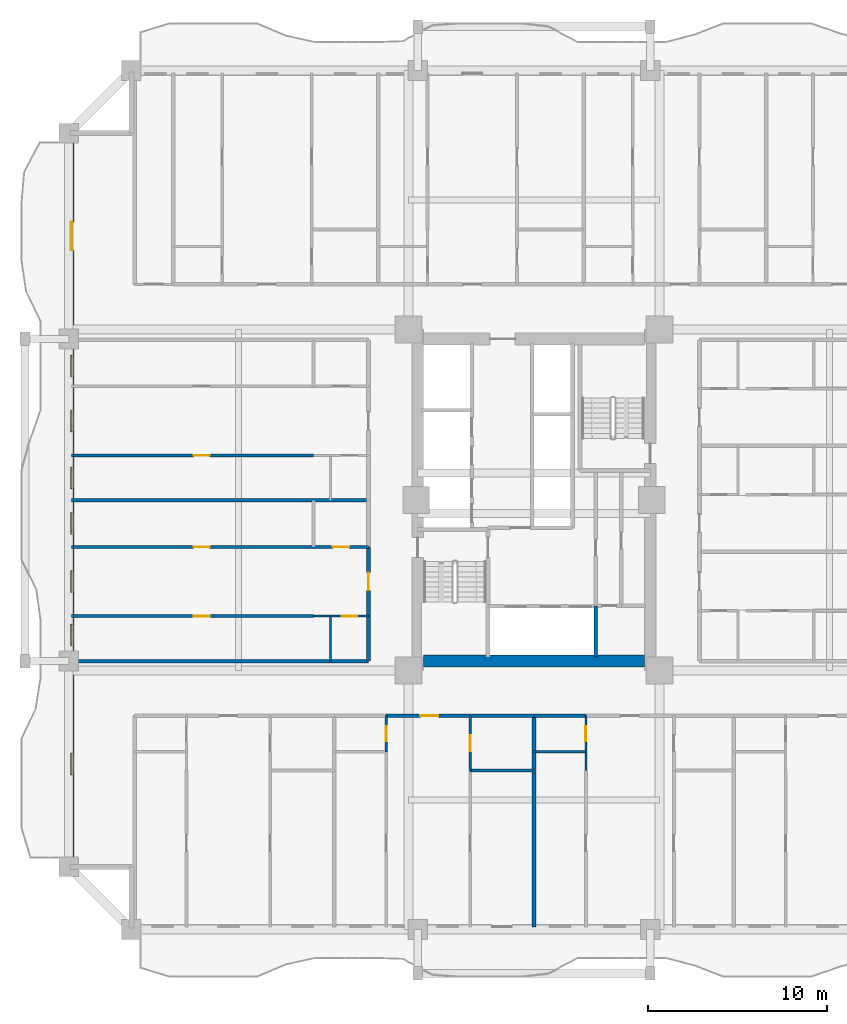
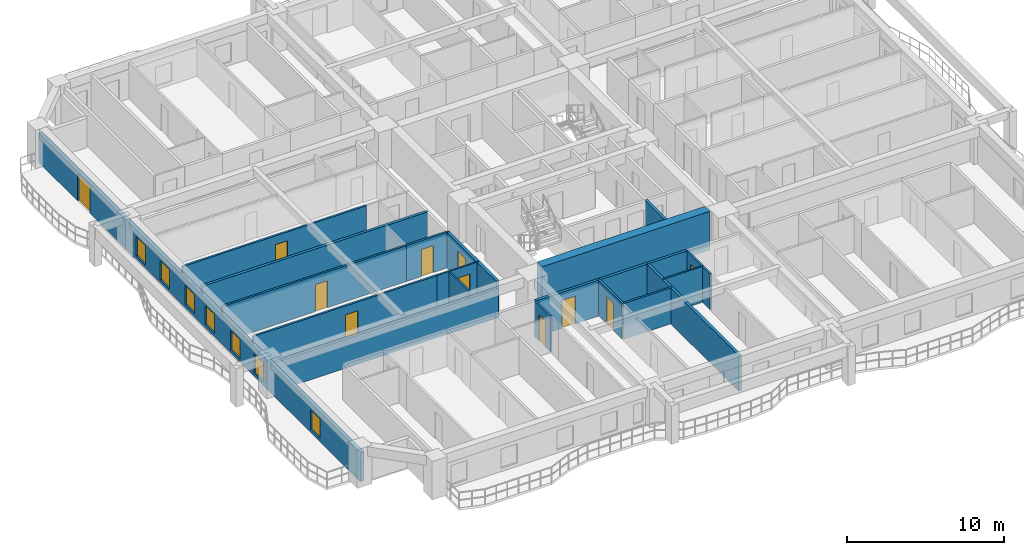
# One storey, part 3 of 18: 24 walls, 11 doors, 7 windows, 18 openings.
"""IFC4 building model written with IfcOpenShell, lengths in metres."""

from ifc_helpers import new_model, si_unit, direction, frame, frame_2d, origin, place, context, subcontext, project, spatial, rectangle, extrude, source, transform, mapped, material, layer, layer_set, type_object, element, fill, save


model = new_model("IFC4")

# Units and contexts
model_context = context("Model", 3, precision=1e-05, world=origin(), true_north=direction((0.0, 1.0)))
body_context = subcontext(model_context, "Body", "Model", "MODEL_VIEW")
ifc_project = project(units=[si_unit("LENGTHUNIT", "METRE"), si_unit("AREAUNIT", "SQUARE_METRE"), si_unit("VOLUMEUNIT", "CUBIC_METRE"), si_unit("PLANEANGLEUNIT", "RADIAN"), si_unit("MASSUNIT", "GRAM", prefix="KILO")], contexts=[model_context])

# Site, building, storey
site_placement = place(None, origin())
site = spatial("IfcSite", under=ifc_project, at=site_placement, CompositionType="ELEMENT")
building_placement = place(site_placement, origin())
building = spatial("IfcBuilding", under=site, at=building_placement, Name="Saelheon Loggia Tower", CompositionType="ELEMENT")
storey_placement = place(building_placement, frame((0.0, 0.0, 40.39990234375)))
storey = spatial("IfcBuildingStorey", under=building, at=storey_placement, Name="L12", CompositionType="ELEMENT", Elevation=40.39990234375)

# Wall
ifc_material_1 = material(Name="Concrete C60/75", Category="concrete")
ifc_layer_1 = layer(ifc_material_1, 0.64990234375)
ifc_layer_set_1 = layer_set([ifc_layer_1], Name="Concrete C60/75")
wall_type_1 = type_object("IfcWallType", Name="Wall_CoreShear_650", PredefinedType="SHEAR", material=ifc_layer_set_1)
wall_1_placement = place(storey_placement, frame((31.824951171875, 18.0, 0.0), z_axis=(0.0, 0.0, 1.0), x_axis=(1.0, 0.0, 0.0)))
element("IfcWall", 1, at=wall_1_placement, inside=storey, type_object=wall_type_1, Name="L12 Core Shear Wall South", PredefinedType="SHEAR", context=body_context, shape_type="SweptSolid", body=[
    extrude(rectangle(XDim=12.35009765625, YDim=0.64990234375, at=frame_2d((6.175048828125, 0.0))), origin(), (0.0, 0.0, 1.0), 3.0),
])

# Wall, openings, windows, door
ifc_material_2 = material(Name="Architectural Precast Concrete C40/50", Category="concrete")
ifc_layer_2 = layer(ifc_material_2, 0.280029296875)
ifc_layer_set_2 = layer_set([ifc_layer_2], Name="Architectural Precast Concrete C40/50")
wall_type_2 = type_object("IfcWallType", Name="Wall_Ext_Loggia_280", PredefinedType="SOLIDWALL", material=ifc_layer_set_2)
wall_2_placement = place(storey_placement, frame((12.139892578125, 6.5, 0.0), z_axis=(0.0, 0.0, 1.0), x_axis=(0.0, 1.0, 0.0)))
wall_2 = element("IfcWall", 2, at=wall_2_placement, inside=storey, type_object=wall_type_2, Name="L12 West Loggia Inner Wall", PredefinedType="SOLIDWALL", context=body_context, shape_type="SweptSolid", body=[
    extrude(rectangle(XDim=41.0, YDim=0.280029296875, at=frame_2d((20.5, 0.0))), origin(), (0.0, 0.0, 1.0), 2.280029296875),
])
opening_1_placement = place(wall_2_placement, frame((5.14990234375, 0.0, 0.25)))
opening_1 = element("IfcOpeningElement", 3, at=opening_1_placement, cuts=wall_2, Name="Opening WN-03", PredefinedType="OPENING", context=body_context, shape_type="SweptSolid", body=[
    extrude(rectangle(XDim=1.199951171875, YDim=1.5, at=frame_2d((0.60009765625, 0.75))), frame((0.0, 0.152099609375, 0.0), z_axis=(0.0, -1.0, 0.0), x_axis=(1.0, 0.0, 0.0)), (0.0, 0.0, 1.0), 0.303955078125),
])
opening_2_placement = place(wall_2_placement, frame((12.3515625, 0.0, 0.25)))
opening_2 = element("IfcOpeningElement", 4, at=opening_2_placement, cuts=wall_2, Name="Opening WN-03", PredefinedType="OPENING", context=body_context, shape_type="SweptSolid", body=[
    extrude(rectangle(XDim=1.199951171875, YDim=1.5, at=frame_2d((0.60009765625, 0.75))), frame((0.0, 0.152099609375, 0.0), z_axis=(0.0, -1.0, 0.0), x_axis=(1.0, 0.0, 0.0)), (0.0, 0.0, 1.0), 0.303955078125),
])
opening_3_placement = place(wall_2_placement, frame((15.343994140625, 0.0, 0.25)))
opening_3 = element("IfcOpeningElement", 5, at=opening_3_placement, cuts=wall_2, Name="Opening WN-03", PredefinedType="OPENING", context=body_context, shape_type="SweptSolid", body=[
    extrude(rectangle(XDim=1.199951171875, YDim=1.5, at=frame_2d((0.60009765625, 0.75))), frame((0.0, 0.152099609375, 0.0), z_axis=(0.0, -1.0, 0.0), x_axis=(1.0, 0.0, 0.0)), (0.0, 0.0, 1.0), 0.303955078125),
])
opening_4_placement = place(wall_2_placement, frame((18.574951171875, 0.0, 0.25)))
opening_4 = element("IfcOpeningElement", 6, at=opening_4_placement, cuts=wall_2, Name="Opening WN-03", PredefinedType="OPENING", context=body_context, shape_type="SweptSolid", body=[
    extrude(rectangle(XDim=1.199951171875, YDim=1.5, at=frame_2d((0.60009765625, 0.75))), frame((0.0, 0.152099609375, 0.0), z_axis=(0.0, -1.0, 0.0), x_axis=(1.0, 0.0, 0.0)), (0.0, 0.0, 1.0), 0.303955078125),
])
opening_5_placement = place(wall_2_placement, frame((21.131591796875, 0.0, 0.25)))
opening_5 = element("IfcOpeningElement", 7, at=opening_5_placement, cuts=wall_2, Name="Opening WN-03", PredefinedType="OPENING", context=body_context, shape_type="SweptSolid", body=[
    extrude(rectangle(XDim=1.199951171875, YDim=1.5, at=frame_2d((0.60009765625, 0.75))), frame((0.0, 0.152099609375, 0.0), z_axis=(0.0, -1.0, 0.0), x_axis=(1.0, 0.0, 0.0)), (0.0, 0.0, 1.0), 0.303955078125),
])
opening_6_placement = place(wall_2_placement, frame((24.319091796875, 0.0, 0.25)))
opening_6 = element("IfcOpeningElement", 8, at=opening_6_placement, cuts=wall_2, Name="Opening WN-03", PredefinedType="OPENING", context=body_context, shape_type="SweptSolid", body=[
    extrude(rectangle(XDim=1.199951171875, YDim=1.5, at=frame_2d((0.60009765625, 0.75))), frame((0.0, 0.152099609375, 0.0), z_axis=(0.0, -1.0, 0.0), x_axis=(1.0, 0.0, 0.0)), (0.0, 0.0, 1.0), 0.303955078125),
])
opening_7_placement = place(wall_2_placement, frame((27.3798828125, 0.0, 0.25)))
opening_7 = element("IfcOpeningElement", 9, at=opening_7_placement, cuts=wall_2, Name="Opening WN-03", PredefinedType="OPENING", context=body_context, shape_type="SweptSolid", body=[
    extrude(rectangle(XDim=1.199951171875, YDim=1.5, at=frame_2d((0.60009765625, 0.75))), frame((0.0, 0.152099609375, 0.0), z_axis=(0.0, -1.0, 0.0), x_axis=(1.0, 0.0, 0.0)), (0.0, 0.0, 1.0), 0.303955078125),
])
opening_8_placement = place(wall_2_placement, frame((34.449951171875, 0.0, 0.0)))
opening_8 = element("IfcOpeningElement", 10, at=opening_8_placement, cuts=wall_2, Name="Opening DLG-1", PredefinedType="OPENING", context=body_context, shape_type="SweptSolid", body=[
    extrude(rectangle(XDim=1.60009765625, YDim=2.14990234375, at=frame_2d((0.800048828125, 1.074951171875))), frame((0.0, 0.152099609375, 0.0), z_axis=(0.0, -1.0, 0.0), x_axis=(1.0, 0.0, 0.0)), (0.0, 0.0, 1.0), 0.303955078125),
])
ifc_material_3 = material(Name="Thermal-Break Aluminium and Triple Low-E Glass", Category="aluminium")
window_type = type_object("IfcWindowType", Name="Win_Bedroom_1200x1500", PartitioningType="SINGLE_PANEL", PredefinedType="WINDOW", material=ifc_material_3)
shared_shape_1 = source(origin(), body_context, "Body", "SweptSolid", [
    extrude(rectangle(XDim=1.199951171875, YDim=1.5, at=frame_2d((0.60009765625, 0.75))), frame((0.0, 0.030029296875, 0.0), z_axis=(0.0, -1.0, 0.0), x_axis=(1.0, 0.0, 0.0)), (0.0, 0.0, 1.0), 0.06005859375),
])
window_1_placement = place(opening_1_placement, origin())
window_1 = element("IfcWindow", 11, at=window_1_placement, inside=storey, type_object=window_type, Name="L12 W Dwelling Window 1", OverallHeight=1.5, OverallWidth=1.199951171875, PartitioningType="SINGLE_PANEL", PredefinedType="WINDOW", context=body_context, shape_type="MappedRepresentation", body=[
    mapped(shared_shape_1, transform((0.0, 0.0, 0.0), scale=1.0)),
])
fill(opening_1, window_1)
window_2_placement = place(opening_2_placement, origin())
window_2 = element("IfcWindow", 12, at=window_2_placement, inside=storey, type_object=window_type, Name="L12 W Dwelling Window 2", OverallHeight=1.5, OverallWidth=1.199951171875, PartitioningType="SINGLE_PANEL", PredefinedType="WINDOW", context=body_context, shape_type="MappedRepresentation", body=[
    mapped(shared_shape_1, transform((0.0, 0.0, 0.0), scale=1.0)),
])
fill(opening_2, window_2)
window_3_placement = place(opening_3_placement, origin())
window_3 = element("IfcWindow", 13, at=window_3_placement, inside=storey, type_object=window_type, Name="L12 W Dwelling Window 3", OverallHeight=1.5, OverallWidth=1.199951171875, PartitioningType="SINGLE_PANEL", PredefinedType="WINDOW", context=body_context, shape_type="MappedRepresentation", body=[
    mapped(shared_shape_1, transform((0.0, 0.0, 0.0), scale=1.0)),
])
fill(opening_3, window_3)
window_4_placement = place(opening_4_placement, origin())
window_4 = element("IfcWindow", 14, at=window_4_placement, inside=storey, type_object=window_type, Name="L12 W Dwelling Window 4", OverallHeight=1.5, OverallWidth=1.199951171875, PartitioningType="SINGLE_PANEL", PredefinedType="WINDOW", context=body_context, shape_type="MappedRepresentation", body=[
    mapped(shared_shape_1, transform((0.0, 0.0, 0.0), scale=1.0)),
])
fill(opening_4, window_4)
window_5_placement = place(opening_5_placement, origin())
window_5 = element("IfcWindow", 15, at=window_5_placement, inside=storey, type_object=window_type, Name="L12 W Dwelling Window 5", OverallHeight=1.5, OverallWidth=1.199951171875, PartitioningType="SINGLE_PANEL", PredefinedType="WINDOW", context=body_context, shape_type="MappedRepresentation", body=[
    mapped(shared_shape_1, transform((0.0, 0.0, 0.0), scale=1.0)),
])
fill(opening_5, window_5)
window_6_placement = place(opening_6_placement, origin())
window_6 = element("IfcWindow", 16, at=window_6_placement, inside=storey, type_object=window_type, Name="L12 W Dwelling Window 6", OverallHeight=1.5, OverallWidth=1.199951171875, PartitioningType="SINGLE_PANEL", PredefinedType="WINDOW", context=body_context, shape_type="MappedRepresentation", body=[
    mapped(shared_shape_1, transform((0.0, 0.0, 0.0), scale=1.0)),
])
fill(opening_6, window_6)
window_7_placement = place(opening_7_placement, origin())
window_7 = element("IfcWindow", 17, at=window_7_placement, inside=storey, type_object=window_type, Name="L12 W Dwelling Window 7", OverallHeight=1.5, OverallWidth=1.199951171875, PartitioningType="SINGLE_PANEL", PredefinedType="WINDOW", context=body_context, shape_type="MappedRepresentation", body=[
    mapped(shared_shape_1, transform((0.0, 0.0, 0.0), scale=1.0)),
])
fill(opening_7, window_7)
ifc_material_4 = material(Name="Thermal-Break Aluminium Sliding Glazed Door", Category="aluminium")
door_type_1 = type_object("IfcDoorType", Name="Door_LoggiaSlide_1600", OperationType="SLIDING_TO_LEFT", PredefinedType="DOOR", material=ifc_material_4)
shared_shape_2 = source(origin(), body_context, "Body", "SweptSolid", [
    extrude(rectangle(XDim=1.60009765625, YDim=2.14990234375, at=frame_2d((0.800048828125, 1.074951171875))), frame((0.0, 0.02490234375, 0.0), z_axis=(0.0, -1.0, 0.0), x_axis=(1.0, 0.0, 0.0)), (0.0, 0.0, 1.0), 0.050048828125),
])
door_1_placement = place(opening_8_placement, origin())
door_1 = element("IfcDoor", 18, at=door_1_placement, inside=storey, type_object=door_type_1, Name="L12 W Loggia Access Door", OperationType="SLIDING_TO_LEFT", OverallHeight=2.14990234375, OverallWidth=1.60009765625, PredefinedType="DOOR", context=body_context, shape_type="MappedRepresentation", body=[
    mapped(shared_shape_2, transform((0.0, 0.0, 0.0), scale=1.0)),
])
fill(opening_8, door_1)

# Wall
ifc_material_5 = material(Name="Lightweight Autoclaved Aerated Concrete Block and Acoustic Gypsum", Category="concrete")
ifc_layer_3 = layer(ifc_material_5, 0.14990234375)
ifc_layer_set_3 = layer_set([ifc_layer_3], Name="Lightweight Autoclaved Aerated Concrete Block and Acoustic Gypsum")
wall_type_3 = type_object("IfcWallType", Name="Wall_Part_150", PredefinedType="PARTITIONING", material=ifc_layer_set_3)
wall_3_placement = place(storey_placement, frame((34.4287109375, 11.8798828125, 0.0), z_axis=(0.0, 0.0, 1.0), x_axis=(1.0, 0.0, 0.0)))
element("IfcWall", 19, at=wall_3_placement, inside=storey, type_object=wall_type_3, Name="L12 S Partition V18", PredefinedType="PARTITIONING", context=body_context, shape_type="SweptSolid", body=[
    extrude(rectangle(XDim=3.5712890625, YDim=0.14990234375, at=frame_2d((1.78564453125, 0.0))), origin(), (0.0, 0.0, 1.0), 2.7900390625),
])

# Wall, opening, door
wall_4_placement = place(storey_placement, frame((34.4287109375, 14.949951171875, 0.0), z_axis=(0.0, 0.0, 1.0), x_axis=(0.0, -1.0, 0.0)))
wall_4 = element("IfcWall", 20, at=wall_4_placement, inside=storey, type_object=wall_type_3, Name="L12 S Partition U22", PredefinedType="PARTITIONING", context=body_context, shape_type="SweptSolid", body=[
    extrude(rectangle(XDim=3.070068359375, YDim=0.14990234375, at=frame_2d((1.53515625, 0.0))), origin(), (0.0, 0.0, 1.0), 2.7900390625),
])
opening_9_placement = place(wall_4_placement, frame((1.0849609375, 0.0, 0.0)))
opening_9 = element("IfcOpeningElement", 21, at=opening_9_placement, cuts=wall_4, Name="Opening D-IN2", PredefinedType="OPENING", context=body_context, shape_type="SweptSolid", body=[
    extrude(rectangle(XDim=0.89990234375, YDim=2.10009765625, at=frame_2d((0.449951171875, 1.050048828125))), frame((0.0, 0.0869140625, 0.0), z_axis=(0.0, -1.0, 0.0), x_axis=(1.0, 0.0, 0.0)), (0.0, 0.0, 1.0), 0.173828125),
])
ifc_material_6 = material(Name="Engineered Oak Flush Door", Category="timber")
door_type_2 = type_object("IfcDoorType", Name="Door_Int_900", OperationType="NOTDEFINED", PredefinedType="DOOR", material=ifc_material_6)
shared_shape_3 = source(origin(), body_context, "Body", "SweptSolid", [
    extrude(rectangle(XDim=0.89990234375, YDim=2.10009765625, at=frame_2d((0.449951171875, 1.050048828125))), frame((0.0, 0.02490234375, 0.0), z_axis=(0.0, -1.0, 0.0), x_axis=(1.0, 0.0, 0.0)), (0.0, 0.0, 1.0), 0.050048828125),
])
door_2_placement = place(opening_9_placement, origin())
door_2 = element("IfcDoor", 22, at=door_2_placement, inside=storey, type_object=door_type_2, Name="Unit U02 Kitchen Door", OperationType="SINGLE_SWING_LEFT", OverallHeight=2.10009765625, OverallWidth=0.89990234375, PredefinedType="DOOR", context=body_context, shape_type="MappedRepresentation", body=[
    mapped(shared_shape_3, transform((0.0, 0.0, 0.0), scale=1.0)),
])
fill(opening_9, door_2)

wall_5_placement = place(storey_placement, frame((25.679931640625, 20.512939453125, 0.0), z_axis=(0.0, 0.0, 1.0), x_axis=(-1.0, 0.0, 0.0)))
wall_5 = element("IfcWall", 23, at=wall_5_placement, inside=storey, type_object=wall_type_3, Name="L12 W Partition U10", PredefinedType="PARTITIONING", context=body_context, shape_type="SweptSolid", body=[
    extrude(rectangle(XDim=13.530029296875, YDim=0.14990234375, at=frame_2d((6.76513671875, 0.0))), origin(), (0.0, 0.0, 1.0), 2.7900390625),
])
opening_10_placement = place(wall_5_placement, frame((5.80859375, 0.0, 0.0)))
opening_10 = element("IfcOpeningElement", 24, at=opening_10_placement, cuts=wall_5, Name="Opening D-IN2", PredefinedType="OPENING", context=body_context, shape_type="SweptSolid", body=[
    extrude(rectangle(XDim=0.89990234375, YDim=2.10009765625, at=frame_2d((0.449951171875, 1.050048828125))), frame((0.0, 0.0869140625, 0.0), z_axis=(0.0, -1.0, 0.0), x_axis=(1.0, 0.0, 0.0)), (0.0, 0.0, 1.0), 0.173828125),
])
door_3_placement = place(opening_10_placement, origin())
door_3 = element("IfcDoor", 25, at=door_3_placement, inside=storey, type_object=door_type_2, Name="Unit U09 Kitchen Door", OperationType="SINGLE_SWING_RIGHT", OverallHeight=2.10009765625, OverallWidth=0.89990234375, PredefinedType="DOOR", context=body_context, shape_type="MappedRepresentation", body=[
    mapped(shared_shape_3, transform((0.0, 0.0, 0.0), scale=1.0)),
])
fill(opening_10, door_3)

wall_6_placement = place(storey_placement, frame((28.75, 24.375, 0.0), z_axis=(0.0, 0.0, 1.0), x_axis=(-1.0, 0.0, 0.0)))
wall_6 = element("IfcWall", 26, at=wall_6_placement, inside=storey, type_object=wall_type_3, Name="L12 W Partition U11", PredefinedType="PARTITIONING", context=body_context, shape_type="SweptSolid", body=[
    extrude(rectangle(XDim=3.070068359375, YDim=0.14990234375, at=frame_2d((1.53515625, 0.0))), origin(), (0.0, 0.0, 1.0), 2.7900390625),
])
opening_11_placement = place(wall_6_placement, frame((1.0849609375, 0.0, 0.0)))
opening_11 = element("IfcOpeningElement", 27, at=opening_11_placement, cuts=wall_6, Name="Opening D-IN2", PredefinedType="OPENING", context=body_context, shape_type="SweptSolid", body=[
    extrude(rectangle(XDim=0.89990234375, YDim=2.10009765625, at=frame_2d((0.449951171875, 1.050048828125))), frame((0.0, 0.0869140625, 0.0), z_axis=(0.0, -1.0, 0.0), x_axis=(1.0, 0.0, 0.0)), (0.0, 0.0, 1.0), 0.173828125),
])
door_4_placement = place(opening_11_placement, origin())
door_4 = element("IfcDoor", 28, at=door_4_placement, inside=storey, type_object=door_type_2, Name="Unit U09 Dressing Closet Door", OperationType="SINGLE_SWING_LEFT", OverallHeight=2.10009765625, OverallWidth=0.89990234375, PredefinedType="DOOR", context=body_context, shape_type="MappedRepresentation", body=[
    mapped(shared_shape_3, transform((0.0, 0.0, 0.0), scale=1.0)),
])
fill(opening_11, door_4)

wall_7_placement = place(storey_placement, frame((25.679931640625, 24.375, 0.0), z_axis=(0.0, 0.0, 1.0), x_axis=(-1.0, 0.0, 0.0)))
wall_7 = element("IfcWall", 29, at=wall_7_placement, inside=storey, type_object=wall_type_3, Name="L12 W Partition U12", PredefinedType="PARTITIONING", context=body_context, shape_type="SweptSolid", body=[
    extrude(rectangle(XDim=13.530029296875, YDim=0.14990234375, at=frame_2d((6.76513671875, 0.0))), origin(), (0.0, 0.0, 1.0), 2.7900390625),
])
opening_12_placement = place(wall_7_placement, frame((5.80859375, 0.0, 0.0)))
opening_12 = element("IfcOpeningElement", 30, at=opening_12_placement, cuts=wall_7, Name="Opening D-IN2", PredefinedType="OPENING", context=body_context, shape_type="SweptSolid", body=[
    extrude(rectangle(XDim=0.89990234375, YDim=2.10009765625, at=frame_2d((0.449951171875, 1.050048828125))), frame((0.0, 0.0869140625, 0.0), z_axis=(0.0, -1.0, 0.0), x_axis=(1.0, 0.0, 0.0)), (0.0, 0.0, 1.0), 0.173828125),
])
door_5_placement = place(opening_12_placement, origin())
door_5 = element("IfcDoor", 31, at=door_5_placement, inside=storey, type_object=door_type_2, Name="Unit U09 Bedroom 1 Door", OperationType="SINGLE_SWING_RIGHT", OverallHeight=2.10009765625, OverallWidth=0.89990234375, PredefinedType="DOOR", context=body_context, shape_type="MappedRepresentation", body=[
    mapped(shared_shape_3, transform((0.0, 0.0, 0.0), scale=1.0)),
])
fill(opening_12, door_5)

wall_8_placement = place(storey_placement, frame((25.679931640625, 29.488037109375, 0.0), z_axis=(0.0, 0.0, 1.0), x_axis=(-1.0, 0.0, 0.0)))
wall_8 = element("IfcWall", 32, at=wall_8_placement, inside=storey, type_object=wall_type_3, Name="L12 W Partition U21", PredefinedType="PARTITIONING", context=body_context, shape_type="SweptSolid", body=[
    extrude(rectangle(XDim=13.530029296875, YDim=0.14990234375, at=frame_2d((6.76513671875, 0.0))), origin(), (0.0, 0.0, 1.0), 2.7900390625),
])
opening_13_placement = place(wall_8_placement, frame((5.80859375, 0.0, 0.0)))
opening_13 = element("IfcOpeningElement", 33, at=opening_13_placement, cuts=wall_8, Name="Opening D-IN2", PredefinedType="OPENING", context=body_context, shape_type="SweptSolid", body=[
    extrude(rectangle(XDim=0.89990234375, YDim=2.10009765625, at=frame_2d((0.449951171875, 1.050048828125))), frame((0.0, 0.0869140625, 0.0), z_axis=(0.0, -1.0, 0.0), x_axis=(1.0, 0.0, 0.0)), (0.0, 0.0, 1.0), 0.173828125),
])
door_6_placement = place(opening_13_placement, origin())
door_6 = element("IfcDoor", 34, at=door_6_placement, inside=storey, type_object=door_type_2, Name="Unit U10 Kitchen Door", OperationType="SINGLE_SWING_LEFT", OverallHeight=2.10009765625, OverallWidth=0.89990234375, PredefinedType="DOOR", context=body_context, shape_type="MappedRepresentation", body=[
    mapped(shared_shape_3, transform((0.0, 0.0, 0.0), scale=1.0)),
])
fill(opening_13, door_6)

ifc_material_7 = material(Name="Double Acoustic Stud and Fireboard Partition", Category="gypsum")
ifc_layer_4 = layer(ifc_material_7, 0.199951171875)
ifc_layer_set_4 = layer_set([ifc_layer_4], Name="Double Acoustic Stud and Fireboard Partition")
wall_type_4 = type_object("IfcWallType", Name="Wall_Party_200", PredefinedType="PARTITIONING", material=ifc_layer_set_4)
wall_9_placement = place(storey_placement, frame((29.74169921875, 14.949951171875, 0.0), z_axis=(0.0, 0.0, 1.0), x_axis=(1.0, 0.0, 0.0)))
wall_9 = element("IfcWall", 35, at=wall_9_placement, inside=storey, type_object=wall_type_4, Name="L12 S Partition V15", PredefinedType="PARTITIONING", context=body_context, shape_type="SweptSolid", body=[
    extrude(rectangle(XDim=4.68701171875, YDim=0.199951171875, at=frame_2d((2.343505859375, 0.0))), origin(), (0.0, 0.0, 1.0), 2.7900390625),
])
opening_14_placement = place(wall_9_placement, frame((1.90966796875, 0.0, 0.0)))
opening_14 = element("IfcOpeningElement", 36, at=opening_14_placement, cuts=wall_9, Name="Opening D-FD1", PredefinedType="OPENING", context=body_context, shape_type="SweptSolid", body=[
    extrude(rectangle(XDim=1.0, YDim=2.14990234375, at=frame_2d((0.5, 1.074951171875))), frame((0.0, 0.112060546875, 0.0), z_axis=(0.0, -1.0, 0.0), x_axis=(1.0, 0.0, 0.0)), (0.0, 0.0, 1.0), 0.223876953125),
])
ifc_material_8 = material(Name="Fire-Rated Engineered Timber Entrance Door", Category="wood")
door_type_3 = type_object("IfcDoorType", Name="Door_Flat_FD30S", OperationType="NOTDEFINED", PredefinedType="DOOR", material=ifc_material_8)
shared_shape_4 = source(origin(), body_context, "Body", "SweptSolid", [
    extrude(rectangle(XDim=1.0, YDim=2.14990234375, at=frame_2d((0.5, 1.074951171875))), frame((0.0, 0.02490234375, 0.0), z_axis=(0.0, -1.0, 0.0), x_axis=(1.0, 0.0, 0.0)), (0.0, 0.0, 1.0), 0.050048828125),
])
door_7_placement = place(opening_14_placement, origin())
door_7 = element("IfcDoor", 37, at=door_7_placement, inside=storey, type_object=door_type_3, Name="Unit U02 Entrance Door", OperationType="SINGLE_SWING_RIGHT", OverallHeight=2.14990234375, OverallWidth=1.0, PredefinedType="DOOR", context=body_context, shape_type="MappedRepresentation", body=[
    mapped(shared_shape_4, transform((0.0, 0.0, 0.0), scale=1.0)),
])
fill(opening_14, door_7)

# Walls
wall_10_placement = place(storey_placement, frame((34.4287109375, 14.949951171875, 0.0), z_axis=(0.0, 0.0, 1.0), x_axis=(1.0, 0.0, 0.0)))
element("IfcWall", 38, at=wall_10_placement, inside=storey, type_object=wall_type_4, Name="L12 S Partition V16", PredefinedType="PARTITIONING", context=body_context, shape_type="SweptSolid", body=[
    extrude(rectangle(XDim=3.5712890625, YDim=0.199951171875, at=frame_2d((1.78564453125, 0.0))), origin(), (0.0, 0.0, 1.0), 2.7900390625),
])
wall_11_placement = place(storey_placement, frame((38.0, 14.949951171875, 0.0), z_axis=(0.0, 0.0, 1.0), x_axis=(0.0, -1.0, 0.0)))
element("IfcWall", 39, at=wall_11_placement, inside=storey, type_object=wall_type_4, Name="L12 S Partition U24", PredefinedType="PARTITIONING", context=body_context, shape_type="SweptSolid", body=[
    extrude(rectangle(XDim=11.800048828125, YDim=0.199951171875, at=frame_2d((5.89990234375, 0.0))), origin(), (0.0, 0.0, 1.0), 2.7900390625),
])
wall_12_placement = place(storey_placement, frame((38.0, 14.949951171875, 0.0), z_axis=(0.0, 0.0, 1.0), x_axis=(1.0, 0.0, 0.0)))
element("IfcWall", 40, at=wall_12_placement, inside=storey, type_object=wall_type_4, Name="L12 S Partition V25", PredefinedType="PARTITIONING", context=body_context, shape_type="SweptSolid", body=[
    extrude(rectangle(XDim=2.901611328125, YDim=0.199951171875, at=frame_2d((1.45068359375, 0.0))), origin(), (0.0, 0.0, 1.0), 2.7900390625),
])
wall_13_placement = place(storey_placement, frame((28.75, 18.0, 0.0), z_axis=(0.0, 0.0, 1.0), x_axis=(-1.0, 0.0, 0.0)))
element("IfcWall", 41, at=wall_13_placement, inside=storey, type_object=wall_type_4, Name="L12 W Partition U01", PredefinedType="PARTITIONING", context=body_context, shape_type="SweptSolid", body=[
    extrude(rectangle(XDim=16.60009765625, YDim=0.199951171875, at=frame_2d((8.300048828125, 0.0))), origin(), (0.0, 0.0, 1.0), 2.239990234375),
])
wall_14_placement = place(storey_placement, frame((28.75, 18.0, 0.0), z_axis=(0.0, 0.0, 1.0), x_axis=(0.0, 1.0, 0.0)))
element("IfcWall", 42, at=wall_14_placement, inside=storey, type_object=wall_type_4, Name="L12 W Partition V03", PredefinedType="PARTITIONING", context=body_context, shape_type="SweptSolid", body=[
    extrude(rectangle(XDim=2.512939453125, YDim=0.199951171875, at=frame_2d((1.25634765625, 0.0))), origin(), (0.0, 0.0, 1.0), 2.7900390625),
])

# Wall, opening, door
wall_15_placement = place(storey_placement, frame((28.75, 20.512939453125, 0.0), z_axis=(0.0, 0.0, 1.0), x_axis=(0.0, 1.0, 0.0)))
wall_15 = element("IfcWall", 43, at=wall_15_placement, inside=storey, type_object=wall_type_4, Name="L12 W Partition V04", PredefinedType="PARTITIONING", context=body_context, shape_type="SweptSolid", body=[
    extrude(rectangle(XDim=3.862060546875, YDim=0.199951171875, at=frame_2d((1.93115234375, 0.0))), origin(), (0.0, 0.0, 1.0), 2.7900390625),
])
opening_15_placement = place(wall_15_placement, frame((1.430908203125, 0.0, 0.0)))
opening_15 = element("IfcOpeningElement", 44, at=opening_15_placement, cuts=wall_15, Name="Opening D-FD1", PredefinedType="OPENING", context=body_context, shape_type="SweptSolid", body=[
    extrude(rectangle(XDim=1.0, YDim=2.14990234375, at=frame_2d((0.5, 1.074951171875))), frame((0.0, 0.112060546875, 0.0), z_axis=(0.0, -1.0, 0.0), x_axis=(1.0, 0.0, 0.0)), (0.0, 0.0, 1.0), 0.223876953125),
])
door_8_placement = place(opening_15_placement, origin())
door_8 = element("IfcDoor", 45, at=door_8_placement, inside=storey, type_object=door_type_3, Name="Unit U09 Entrance Door", OperationType="SINGLE_SWING_RIGHT", OverallHeight=2.14990234375, OverallWidth=1.0, PredefinedType="DOOR", context=body_context, shape_type="MappedRepresentation", body=[
    mapped(shared_shape_4, transform((0.0, 0.0, 0.0), scale=1.0)),
])
fill(opening_15, door_8)

# Walls
wall_16_placement = place(storey_placement, frame((28.75, 26.97509765625, 0.0), z_axis=(0.0, 0.0, 1.0), x_axis=(-1.0, 0.0, 0.0)))
element("IfcWall", 46, at=wall_16_placement, inside=storey, type_object=wall_type_4, Name="L12 W Partition U13", PredefinedType="PARTITIONING", context=body_context, shape_type="SweptSolid", body=[
    extrude(rectangle(XDim=16.60009765625, YDim=0.199951171875, at=frame_2d((8.300048828125, 0.0))), origin(), (0.0, 0.0, 1.0), 2.7900390625),
])
ifc_material_9 = material(Name="Concrete C40/50", Category="concrete")
ifc_layer_5 = layer(ifc_material_9, 0.199951171875)
ifc_layer_set_5 = layer_set([ifc_layer_5], Name="Concrete C40/50")
wall_type_5 = type_object("IfcWallType", Name="Wall_Shaft_200", PredefinedType="PARTITIONING", material=ifc_layer_set_5)
wall_17_placement = place(storey_placement, frame((41.449951171875, 18.219970703125, 0.0), z_axis=(0.0, 0.0, 1.0), x_axis=(0.0, 1.0, 0.0)))
element("IfcWall", 47, at=wall_17_placement, inside=storey, type_object=wall_type_5, Name="CW-INT-L12-BOH-W0", PredefinedType="PARTITIONING", context=body_context, shape_type="SweptSolid", body=[
    extrude(rectangle(XDim=2.860107421875, YDim=0.199951171875, at=frame_2d((1.43017578125, 0.0))), origin(), (0.0, 0.0, 1.0), 2.7900390625),
])

# Wall, opening, door
ifc_material_10 = material(Name="Moisture-Resistant Cement Board Partition", Category="gypsum")
ifc_layer_6 = layer(ifc_material_10, 0.1201171875)
ifc_layer_set_6 = layer_set([ifc_layer_6], Name="Moisture-Resistant Cement Board Partition")
wall_type_6 = type_object("IfcWallType", Name="Wall_WetPart_120", PredefinedType="PARTITIONING", material=ifc_layer_set_6)
wall_18_placement = place(storey_placement, frame((29.74169921875, 14.949951171875, 0.0), z_axis=(0.0, 0.0, 1.0), x_axis=(0.0, -1.0, 0.0)))
wall_18 = element("IfcWall", 48, at=wall_18_placement, inside=storey, type_object=wall_type_6, Name="L12 S Partition U19", PredefinedType="PARTITIONING", context=body_context, shape_type="SweptSolid", body=[
    extrude(rectangle(XDim=2.02001953125, YDim=0.1201171875, at=frame_2d((1.010009765625, 0.0))), origin(), (0.0, 0.0, 1.0), 2.7900390625),
])
opening_16_placement = place(wall_18_placement, frame((0.5849609375, 0.0, 0.0)))
opening_16 = element("IfcOpeningElement", 49, at=opening_16_placement, cuts=wall_18, Name="Opening D-BT1", PredefinedType="OPENING", context=body_context, shape_type="SweptSolid", body=[
    extrude(rectangle(XDim=0.85009765625, YDim=2.050048828125, at=frame_2d((0.425048828125, 1.02490234375))), frame((0.0, 0.072021484375, 0.0), z_axis=(0.0, -1.0, 0.0), x_axis=(1.0, 0.0, 0.0)), (0.0, 0.0, 1.0), 0.14404296875),
])
ifc_material_11 = material(Name="Moisture-Resistant Laminate Timber Door", Category="wood")
door_type_4 = type_object("IfcDoorType", Name="Door_Bath_850", OperationType="NOTDEFINED", PredefinedType="DOOR", material=ifc_material_11)
shared_shape_5 = source(origin(), body_context, "Body", "SweptSolid", [
    extrude(rectangle(XDim=0.85009765625, YDim=2.050048828125, at=frame_2d((0.425048828125, 1.02490234375))), frame((0.0, 0.02490234375, 0.0), z_axis=(0.0, -1.0, 0.0), x_axis=(1.0, 0.0, 0.0)), (0.0, 0.0, 1.0), 0.050048828125),
])
door_9_placement = place(opening_16_placement, origin())
door_9 = element("IfcDoor", 50, at=door_9_placement, inside=storey, type_object=door_type_4, Name="Unit U02 Bathroom Door", OperationType="SINGLE_SWING_LEFT", OverallHeight=2.050048828125, OverallWidth=0.85009765625, PredefinedType="DOOR", context=body_context, shape_type="MappedRepresentation", body=[
    mapped(shared_shape_5, transform((0.0, 0.0, 0.0), scale=1.0)),
])
fill(opening_16, door_9)

# Wall
wall_19_placement = place(storey_placement, frame((38.0, 12.929931640625, 0.0), z_axis=(0.0, 0.0, 1.0), x_axis=(1.0, 0.0, 0.0)))
element("IfcWall", 51, at=wall_19_placement, inside=storey, type_object=wall_type_6, Name="L12 S Partition V28", PredefinedType="PARTITIONING", context=body_context, shape_type="SweptSolid", body=[
    extrude(rectangle(XDim=2.901611328125, YDim=0.1201171875, at=frame_2d((1.45068359375, 0.0))), origin(), (0.0, 0.0, 1.0), 2.7900390625),
])

# Wall, opening, door
wall_20_placement = place(storey_placement, frame((40.901611328125, 14.949951171875, 0.0), z_axis=(0.0, 0.0, 1.0), x_axis=(0.0, -1.0, 0.0)))
wall_20 = element("IfcWall", 52, at=wall_20_placement, inside=storey, type_object=wall_type_6, Name="L12 S Partition U30", PredefinedType="PARTITIONING", context=body_context, shape_type="SweptSolid", body=[
    extrude(rectangle(XDim=2.02001953125, YDim=0.1201171875, at=frame_2d((1.010009765625, 0.0))), origin(), (0.0, 0.0, 1.0), 2.7900390625),
])
opening_17_placement = place(wall_20_placement, frame((0.5849609375, 0.0, 0.0)))
opening_17 = element("IfcOpeningElement", 53, at=opening_17_placement, cuts=wall_20, Name="Opening D-BT1", PredefinedType="OPENING", context=body_context, shape_type="SweptSolid", body=[
    extrude(rectangle(XDim=0.85009765625, YDim=2.050048828125, at=frame_2d((0.425048828125, 1.02490234375))), frame((0.0, 0.072021484375, 0.0), z_axis=(0.0, -1.0, 0.0), x_axis=(1.0, 0.0, 0.0)), (0.0, 0.0, 1.0), 0.14404296875),
])
door_10_placement = place(opening_17_placement, origin())
door_10 = element("IfcDoor", 54, at=door_10_placement, inside=storey, type_object=door_type_4, Name="Unit U03 Bathroom Door", OperationType="SINGLE_SWING_RIGHT", OverallHeight=2.050048828125, OverallWidth=0.85009765625, PredefinedType="DOOR", context=body_context, shape_type="MappedRepresentation", body=[
    mapped(shared_shape_5, transform((0.0, 0.0, 0.0), scale=1.0)),
])
fill(opening_17, door_10)

# Walls
wall_21_placement = place(storey_placement, frame((40.901611328125, 12.929931640625, 0.0), z_axis=(0.0, 0.0, 1.0), x_axis=(0.0, -1.0, 0.0)))
element("IfcWall", 55, at=wall_21_placement, inside=storey, type_object=wall_type_6, Name="L12 S Partition U31", PredefinedType="PARTITIONING", context=body_context, shape_type="SweptSolid", body=[
    extrude(rectangle(XDim=1.050048828125, YDim=0.1201171875, at=frame_2d((0.52490234375, 0.0))), origin(), (0.0, 0.0, 1.0), 2.7900390625),
])
wall_22_placement = place(storey_placement, frame((26.6298828125, 18.0, 0.0), z_axis=(0.0, 0.0, 1.0), x_axis=(0.0, 1.0, 0.0)))
element("IfcWall", 56, at=wall_22_placement, inside=storey, type_object=wall_type_6, Name="L12 W Partition V06", PredefinedType="PARTITIONING", context=body_context, shape_type="SweptSolid", body=[
    extrude(rectangle(XDim=2.512939453125, YDim=0.1201171875, at=frame_2d((1.25634765625, 0.0))), origin(), (0.0, 0.0, 1.0), 2.7900390625),
])

# Wall, opening, door
wall_23_placement = place(storey_placement, frame((28.75, 20.512939453125, 0.0), z_axis=(0.0, 0.0, 1.0), x_axis=(-1.0, 0.0, 0.0)))
wall_23 = element("IfcWall", 57, at=wall_23_placement, inside=storey, type_object=wall_type_6, Name="L12 W Partition U08", PredefinedType="PARTITIONING", context=body_context, shape_type="SweptSolid", body=[
    extrude(rectangle(XDim=2.1201171875, YDim=0.1201171875, at=frame_2d((1.06005859375, 0.0))), origin(), (0.0, 0.0, 1.0), 2.7900390625),
])
opening_18_placement = place(wall_23_placement, frame((0.635009765625, 0.0, 0.0)))
opening_18 = element("IfcOpeningElement", 58, at=opening_18_placement, cuts=wall_23, Name="Opening D-BT1", PredefinedType="OPENING", context=body_context, shape_type="SweptSolid", body=[
    extrude(rectangle(XDim=0.85009765625, YDim=2.050048828125, at=frame_2d((0.425048828125, 1.02490234375))), frame((0.0, 0.072021484375, 0.0), z_axis=(0.0, -1.0, 0.0), x_axis=(1.0, 0.0, 0.0)), (0.0, 0.0, 1.0), 0.14404296875),
])
door_11_placement = place(opening_18_placement, origin())
door_11 = element("IfcDoor", 59, at=door_11_placement, inside=storey, type_object=door_type_4, Name="Unit U09 Bathroom Door", OperationType="SINGLE_SWING_LEFT", OverallHeight=2.050048828125, OverallWidth=0.85009765625, PredefinedType="DOOR", context=body_context, shape_type="MappedRepresentation", body=[
    mapped(shared_shape_5, transform((0.0, 0.0, 0.0), scale=1.0)),
])
fill(opening_18, door_11)

# Wall
wall_24_placement = place(storey_placement, frame((26.6298828125, 20.512939453125, 0.0), z_axis=(0.0, 0.0, 1.0), x_axis=(-1.0, 0.0, 0.0)))
element("IfcWall", 60, at=wall_24_placement, inside=storey, type_object=wall_type_6, Name="L12 W Partition U09", PredefinedType="PARTITIONING", context=body_context, shape_type="SweptSolid", body=[
    extrude(rectangle(XDim=0.949951171875, YDim=0.1201171875, at=frame_2d((0.47509765625, 0.0))), origin(), (0.0, 0.0, 1.0), 2.7900390625),
])

save(model, "model.ifc")
